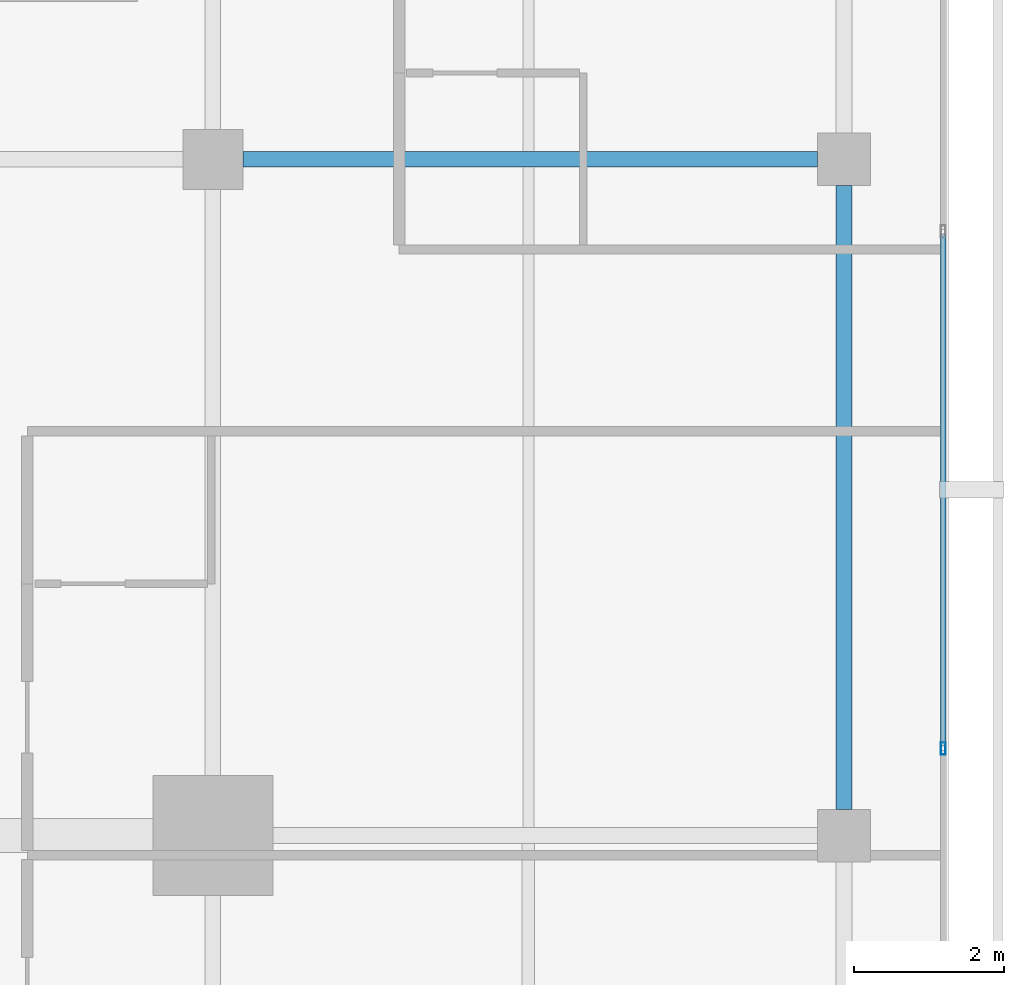
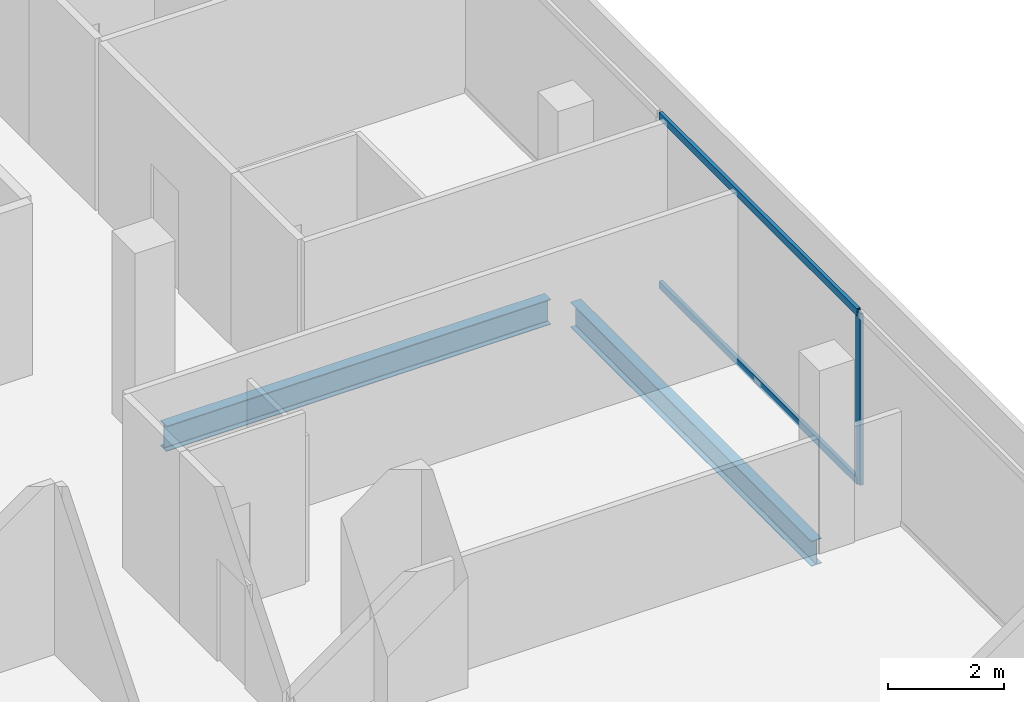
# One storey, part 14 of 25: 3 members, 2 beams, 1 element without a shape of its own.
"""IFC4 building model written with IfcOpenShell, lengths in metres."""

import ifcopenshell
import ifcopenshell.guid

model = None  # the IFC model being written
_history = None  # IfcOwnerHistory: only IFC2X3 demands one
_inside = {}  # id of a spatial element -> (the spatial element, [elements in it])
_under = {}  # id of a project, library or spatial element -> (it, [spatial elements below it])
_declared = {}  # id of a project -> (the project, [libraries it declares])
_typed = {}  # id of a type object -> (the type object, [elements of that type])
_made_of = {}  # id of a material, layer set ... -> (it, [elements and type objects made of it])


def new_model(schema):
    """Start an empty IFC model of exactly this schema.

    Asked for "IFC4X3", IfcOpenShell would pick the latest addendum, in which some entities
    have other attributes; the version numbers below select the first issue.
    IFC2X3 requires an IfcOwnerHistory on every rooted entity: one is made here for all.
    """
    global model, _history
    if schema == "IFC4X3":
        model = ifcopenshell.file(schema_version=(4, 3, 0, 0))
    else:
        model = ifcopenshell.file(schema=schema)
    _inside.clear()
    _under.clear()
    _declared.clear()
    _typed.clear()
    _made_of.clear()
    _history = None
    if model.schema == "IFC2X3":
        org = make("IfcOrganization", Name="unknown")
        user = make(
            "IfcPersonAndOrganization",
            ThePerson=make("IfcPerson", FamilyName="unknown"),
            TheOrganization=org,
        )
        app = make(
            "IfcApplication",
            ApplicationDeveloper=org,
            Version="unknown",
            ApplicationFullName="unknown",
            ApplicationIdentifier="unknown",
        )
        _history = make(
            "IfcOwnerHistory",
            OwningUser=user,
            OwningApplication=app,
            ChangeAction="ADDED",
            CreationDate=0,
        )
    return model


def make(cls, **values):
    """One entity of the class cls with the attributes given. An attribute that is None is left unset."""
    return model.create_entity(
        cls, **{name: value for name, value in values.items() if value is not None}
    )


def rooted(cls, **values):
    """An entity with a GlobalId (a new one), such as an element, a storey or a relation."""
    return make(cls, GlobalId=ifcopenshell.guid.new(), OwnerHistory=_history, **values)


def si_unit(unit_type, name, prefix=None):
    """IfcSIUnit, for example si_unit("LENGTHUNIT", "METRE", prefix="MILLI")."""
    return make("IfcSIUnit", UnitType=unit_type, Prefix=prefix, Name=name)


def assignment(units):
    """IfcUnitAssignment: the units of a project."""
    return None if units is None else make("IfcUnitAssignment", Units=units)


def point(xyz):
    """IfcCartesianPoint."""
    return None if xyz is None else make("IfcCartesianPoint", Coordinates=xyz)


def direction(xyz):
    """IfcDirection."""
    return None if xyz is None else make("IfcDirection", DirectionRatios=xyz)


def frame(location, z_axis=None, x_axis=None):
    """IfcAxis2Placement3D, a coordinate frame: its origin and axes. An axis left out is left unset."""
    return make(
        "IfcAxis2Placement3D",
        Location=point(location),
        Axis=direction(z_axis),
        RefDirection=direction(x_axis),
    )


def frame_2d(location, x_axis=None):
    """IfcAxis2Placement2D, a coordinate frame in the plane: its origin and x axis."""
    return make(
        "IfcAxis2Placement2D", Location=point(location), RefDirection=direction(x_axis)
    )


def origin():
    """The frame at (0, 0, 0) with its axes left unset."""
    return frame((0.0, 0.0, 0.0))


def origin_2d():
    """The frame at (0, 0) in the plane with its x axis left unset."""
    return frame_2d((0.0, 0.0))


def place(relative_to, where):
    """IfcLocalPlacement: puts the frame where relative to a parent placement (None: the world)."""
    return make(
        "IfcLocalPlacement", PlacementRelTo=relative_to, RelativePlacement=where
    )


def context(
    kind, dimensions, precision=None, world=None, true_north=None, identifier=None
):
    """IfcGeometricRepresentationContext, for example the 3D "Model" context."""
    return make(
        "IfcGeometricRepresentationContext",
        ContextIdentifier=identifier,
        ContextType=kind,
        CoordinateSpaceDimension=dimensions,
        Precision=precision,
        WorldCoordinateSystem=world,
        TrueNorth=true_north,
    )


def subcontext(parent, identifier, kind, view, scale=None):
    """IfcGeometricRepresentationSubContext, for example "Body" below "Model"."""
    return make(
        "IfcGeometricRepresentationSubContext",
        ContextIdentifier=identifier,
        ContextType=kind,
        ParentContext=parent,
        TargetScale=scale,
        TargetView=view,
    )


def project(units=None, contexts=None):
    """IfcProject with its units and contexts."""
    return rooted(
        "IfcProject",
        Name="project",
        RepresentationContexts=contexts,
        UnitsInContext=assignment(units),
    )


def spatial(cls, under=None, at=None, **own):
    """A site, building, storey or space (cls), placed at a placement, below another one or the project."""
    s = rooted(cls, ObjectPlacement=at, **own)
    if under is not None:
        _under.setdefault(under.id(), (under, []))[1].append(s)
    return s


def profile(cls, at=None, kind="AREA", **sizes):
    """A parametric profile (cls). Its sizes go by their IFC names, for example OverallWidth=200.0."""
    return make(cls, ProfileType=kind, Position=at, **sizes)


def hollow_rectangle(**sizes):
    """IfcRectangleHollowProfileDef."""
    return profile("IfcRectangleHollowProfileDef", **sizes)


def i_section(**sizes):
    """IfcIShapeProfileDef."""
    return profile("IfcIShapeProfileDef", **sizes)


def extrude(swept, where, along, depth):
    """IfcExtrudedAreaSolid: the profile swept, set in the frame where, extruded along a direction by depth."""
    return make(
        "IfcExtrudedAreaSolid",
        SweptArea=swept,
        Position=where,
        ExtrudedDirection=direction(along),
        Depth=depth,
    )


def shape(context_of_items, identifier, shape_type, items):
    """IfcShapeRepresentation: the items that make up one representation, for example the "Body"."""
    return make(
        "IfcShapeRepresentation",
        ContextOfItems=context_of_items,
        RepresentationIdentifier=identifier,
        RepresentationType=shape_type,
        Items=items,
    )


def material(Name=None, Category=None):
    """IfcMaterial."""
    return make("IfcMaterial", Name=Name, Category=Category)


def layer(
    of_material, thickness, ventilated=None, Name=None, Category=None, Priority=None
):
    """IfcMaterialLayer: one layer of a wall or slab, of a material (None: an air gap)."""
    return make(
        "IfcMaterialLayer",
        Material=of_material,
        LayerThickness=thickness,
        IsVentilated=ventilated,
        Name=Name,
        Category=Category,
        Priority=Priority,
    )


def layer_set(layers, Name=None):
    """IfcMaterialLayerSet."""
    return make("IfcMaterialLayerSet", MaterialLayers=layers, LayerSetName=Name)


def material_profile(
    of_material, cross_section, Name=None, Category=None, Priority=None
):
    """IfcMaterialProfile: a cross section and its material."""
    return make(
        "IfcMaterialProfile",
        Name=Name,
        Material=of_material,
        Profile=cross_section,
        Priority=Priority,
        Category=Category,
    )


def profile_set(profiles, Name=None, composite=None):
    """IfcMaterialProfileSet."""
    return make(
        "IfcMaterialProfileSet",
        Name=Name,
        MaterialProfiles=profiles,
        CompositeProfile=composite,
    )


def made_of(thing, what):
    """Note that an element or type object is made of a material, layer set ...; save() writes the relation."""
    if what is not None:
        _made_of.setdefault(what.id(), (what, []))[1].append(thing)
    return thing


def type_object(cls, material=None, **own):
    """A type object (cls), such as IfcWallType, which elements share."""
    return made_of(rooted(cls, **own), material)


def element(
    cls,
    number,
    at=None,
    inside=None,
    cuts=None,
    type_object=None,
    material=None,
    context=None,
    identifier="Body",
    shape_type=None,
    held_by="IfcProductDefinitionShape",
    body=None,
    shapes=None,
    **own,
):
    """One element of the class cls, such as IfcWall. Its Tag is "e" and its number.

    at: its placement. inside: the storey or other place that contains it. cuts: it is an
    opening in that element (IfcRelVoidsElement). A single representation is given by context,
    identifier, shape_type and body (its items); several are given by shapes. held_by: the class
    of the entity that holds the representations. save() writes the other relations.
    """
    e = rooted(cls, Tag="e%d" % number, ObjectPlacement=at, **own)
    if body is not None:
        shapes = [shape(context, identifier, shape_type, body)]
    if shapes is not None:
        e.Representation = make(held_by, Representations=shapes)
    if inside is not None:
        _inside.setdefault(inside.id(), (inside, []))[1].append(e)
    if cuts is not None:
        rooted(
            "IfcRelVoidsElement", RelatingBuildingElement=cuts, RelatedOpeningElement=e
        )
    if type_object is not None:
        _typed.setdefault(type_object.id(), (type_object, []))[1].append(e)
    return made_of(e, material)


def aggregate(whole, parts):
    """IfcRelAggregates: a whole, such as a stair, and the parts it consists of."""
    return rooted("IfcRelAggregates", RelatingObject=whole, RelatedObjects=parts)


def save(model, path):
    """Write the relations noted so far, then the file.

    IfcRelAggregates (storeys below a building ...), IfcRelContainedInSpatialStructure (elements
    in a storey), IfcRelDefinesByType, IfcRelAssociatesMaterial and IfcRelDeclares: one each for
    every whole, place, type object, material and project.
    """
    for whole, parts in _under.values():
        aggregate(whole, parts)
    for where, things in _inside.values():
        rooted(
            "IfcRelContainedInSpatialStructure",
            RelatedElements=things,
            RelatingStructure=where,
        )
    for kind, things in _typed.values():
        rooted("IfcRelDefinesByType", RelatedObjects=things, RelatingType=kind)
    for what, things in _made_of.values():
        rooted("IfcRelAssociatesMaterial", RelatedObjects=things, RelatingMaterial=what)
    for by, libraries in _declared.values():
        rooted("IfcRelDeclares", RelatingContext=by, RelatedDefinitions=libraries)
    model.write(path)


model = new_model("IFC4")

# Units and contexts
model_context = context("Model", 3, precision=1e-05, world=origin(), true_north=direction((0.0, 1.0)))
body_context = subcontext(model_context, "Body", "Model", "MODEL_VIEW")
ifc_project = project(units=[si_unit("LENGTHUNIT", "METRE"), si_unit("AREAUNIT", "SQUARE_METRE"), si_unit("VOLUMEUNIT", "CUBIC_METRE"), si_unit("PLANEANGLEUNIT", "RADIAN"), si_unit("MASSUNIT", "GRAM", prefix="KILO")], contexts=[model_context])

# Site, building, storey
site_placement = place(None, origin())
site = spatial("IfcSite", under=ifc_project, at=site_placement, CompositionType="ELEMENT")
building_placement = place(site_placement, origin())
building = spatial("IfcBuilding", under=site, at=building_placement, Name="Maruvema Waterfront Hotel and Observation Tower", CompositionType="ELEMENT")
storey_placement = place(building_placement, frame((0.0, 0.0, 239.39990234375)))
storey = spatial("IfcBuildingStorey", under=building, at=storey_placement, Name="L58", CompositionType="ELEMENT", Elevation=239.39990234375)

# Curtain wall, members
ifc_material_1 = material(Name="Anodised bronze aluminium and solar-control low-E IGU", Category="aluminium")
ifc_layer = layer(ifc_material_1, 0.159912109375, Name="Zone 3 Champagne Inner Thermal Curtain Wall System CW-04")
ifc_layer_set = layer_set([ifc_layer], Name="Anodised bronze aluminium and solar-control low-E IGU")
curtain_wall_type = type_object("IfcCurtainWallType", Name="Zone 3 Champagne Inner Thermal Curtain Wall System CW-04", PredefinedType="USERDEFINED", material=ifc_layer_set)
curtain_wall_placement = place(storey_placement, origin())
curtain_wall = element("IfcCurtainWall", 1, at=curtain_wall_placement, inside=storey, type_object=curtain_wall_type, Name="L58 Curtain Wall CW-L58-E", ObjectType="UNITISED CURTAIN WALL", PredefinedType="USERDEFINED")
ifc_material_2 = material(Name="Anodised architectural bronze aluminium", Category="aluminium")
ifc_material_profile_1 = material_profile(ifc_material_2, hollow_rectangle(XDim=0.070068359375, YDim=0.14990234375, WallThickness=0.00390625, at=origin_2d()), Name="ALU-T70x150")
ifc_profile_set_1 = profile_set([ifc_material_profile_1], Name="Anodised architectural bronze aluminium")
member_type_1 = type_object("IfcMemberType", Name="Curtain Wall Horizontal Transom ALU-T70x150", PredefinedType="USERDEFINED", material=ifc_profile_set_1)
member_1_placement = place(storey_placement, frame((60.1201171875, 28.18994140625, 0.030029296875), z_axis=(0.0, 1.0, 0.0), x_axis=(-1.0, 0.0, 0.0)))
member_1 = element("IfcMember", 2, at=member_1_placement, type_object=member_type_1, Name="CW-04 transom 3.1", ObjectType="TRANSOM", PredefinedType="USERDEFINED", context=body_context, shape_type="SweptSolid", body=[
    extrude(hollow_rectangle(XDim=0.070068359375, YDim=0.14990234375, WallThickness=0.00390625, at=origin_2d()), origin(), (0.0, 0.0, 1.0), 6.820068359375),
])
member_2_placement = place(storey_placement, frame((60.1201171875, 28.18994140625, 3.580078125), z_axis=(0.0, 1.0, 0.0), x_axis=(-1.0, 0.0, 0.0)))
member_2 = element("IfcMember", 3, at=member_2_placement, type_object=member_type_1, Name="CW-04 transom 3.2", ObjectType="TRANSOM", PredefinedType="USERDEFINED", context=body_context, shape_type="SweptSolid", body=[
    extrude(hollow_rectangle(XDim=0.070068359375, YDim=0.14990234375, WallThickness=0.00390625, at=origin_2d()), origin(), (0.0, 0.0, 1.0), 6.820068359375),
])
ifc_material_3 = material(Name="Anodised architectural bronze aluminium", Category="aluminium")
ifc_material_profile_2 = material_profile(ifc_material_3, hollow_rectangle(XDim=0.06494140625, YDim=0.1650390625, WallThickness=0.00390625, at=origin_2d()), Name="ALU-M65x165")
ifc_profile_set_2 = profile_set([ifc_material_profile_2], Name="Anodised architectural bronze aluminium")
member_type_2 = type_object("IfcMemberType", Name="Curtain Wall Primary Mullion ALU-M65x165", PredefinedType="MULLION", material=ifc_profile_set_2)
member_3_placement = place(storey_placement, frame((60.1201171875, 28.159912109375, 0.0), z_axis=(0.0, 0.0, 1.0), x_axis=(-1.0, 0.0, 0.0)))
member_3 = element("IfcMember", 4, at=member_3_placement, type_object=member_type_2, Name="CW-04 mullion 3", PredefinedType="MULLION", context=body_context, shape_type="SweptSolid", body=[
    extrude(hollow_rectangle(XDim=0.06494140625, YDim=0.1650390625, WallThickness=0.00390625, at=origin_2d()), origin(), (0.0, 0.0, 1.0), 3.610107421875),
])
aggregate(curtain_wall, [member_3, member_1, member_2])

# Beams
ifc_material_4 = material(Name="Steel ASTM A572 Grade 50", Category="steel")
ifc_material_profile_3 = material_profile(ifc_material_4, i_section(OverallWidth=0.208984375, OverallDepth=0.532958984375, WebThickness=0.01025390625, FlangeThickness=0.015625, FilletRadius=0.014892578125, at=origin_2d()), Name="W530x92.0")
ifc_profile_set_3 = profile_set([ifc_material_profile_3], Name="Steel ASTM A572 Grade 50")
beam_type = type_object("IfcBeamType", Name="Primary Floor Girder W530x92.0", PredefinedType="BEAM", material=ifc_profile_set_3)
beam_1_placement = place(storey_placement, frame((50.800048828125, 36.0, -0.50634765625), z_axis=(1.0, 0.0, 0.0), x_axis=(0.0, 1.0, 0.0)))
element("IfcBeam", 5, at=beam_1_placement, inside=storey, type_object=beam_type, Name="L58 Floor Girder EW-16", PredefinedType="BEAM", context=body_context, shape_type="SweptSolid", body=[
    extrude(i_section(OverallWidth=0.208984375, OverallDepth=0.532958984375, WebThickness=0.01025390625, FlangeThickness=0.015625, FilletRadius=0.014892578125, at=origin_2d()), origin(), (0.0, 0.0, 1.0), 7.64990234375),
])
beam_2_placement = place(storey_placement, frame((58.800048828125, 27.35009765625, -0.50634765625), z_axis=(0.0, 1.0, 0.0), x_axis=(-1.0, 0.0, 0.0)))
element("IfcBeam", 6, at=beam_2_placement, inside=storey, type_object=beam_type, Name="L58 Floor Girder NS-17", PredefinedType="BEAM", context=body_context, shape_type="SweptSolid", body=[
    extrude(i_section(OverallWidth=0.208984375, OverallDepth=0.532958984375, WebThickness=0.01025390625, FlangeThickness=0.015625, FilletRadius=0.014892578125, at=origin_2d()), origin(), (0.0, 0.0, 1.0), 8.2998046875),
])

save(model, "model.ifc")
